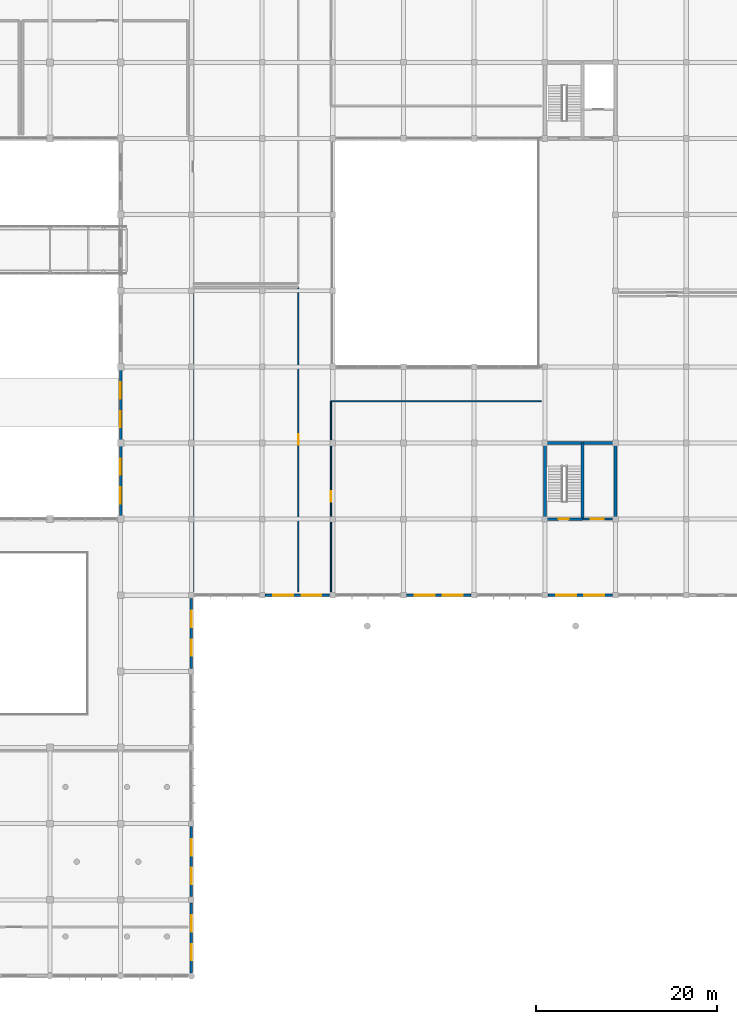
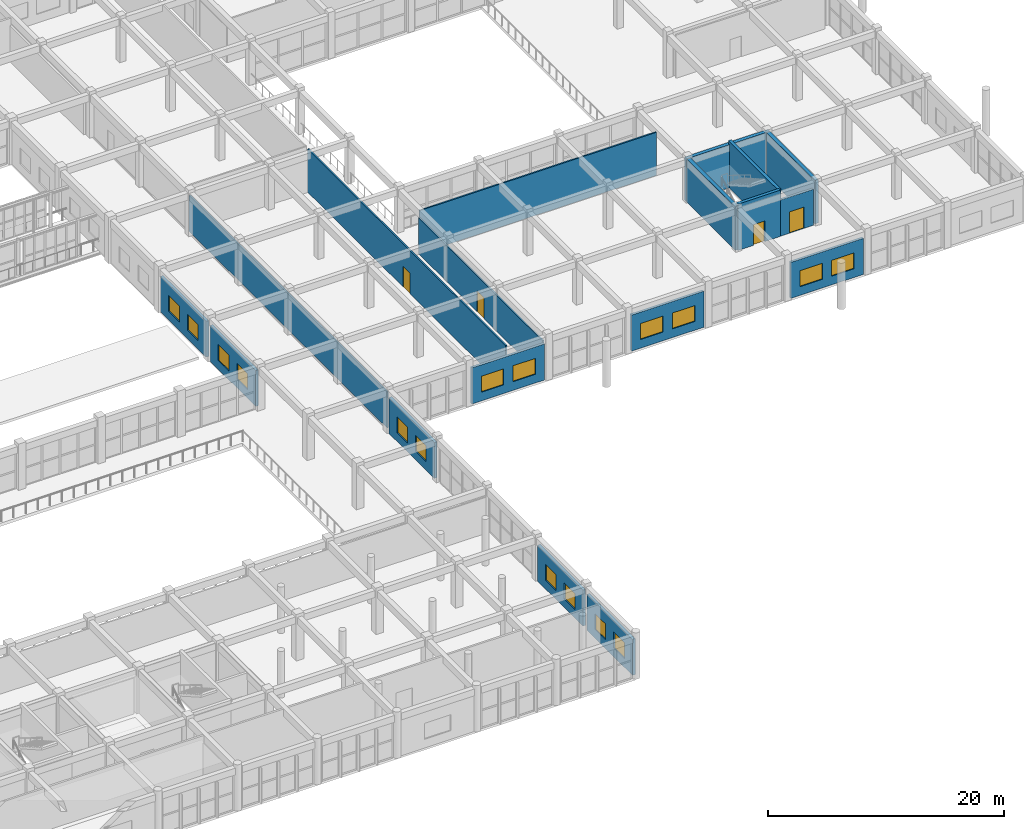
# One storey, part 156 of 167: 18 walls, 16 windows, 4 doors, 20 openings.
"""IFC4 building model written with IfcOpenShell, lengths in metres."""

from ifc_helpers import new_model, si_unit, direction, frame, frame_2d, origin, place, context, subcontext, project, spatial, rectangle, extrude, material, layer, layer_set, type_object, element, fill, save


model = new_model("IFC4")

# Units and contexts
model_context = context("Model", 3, precision=1e-05, world=origin(), true_north=direction((0.0, 1.0)))
body_context = subcontext(model_context, "Body", "Model", "MODEL_VIEW")
ifc_project = project(units=[si_unit("LENGTHUNIT", "METRE"), si_unit("AREAUNIT", "SQUARE_METRE"), si_unit("VOLUMEUNIT", "CUBIC_METRE"), si_unit("PLANEANGLEUNIT", "RADIAN"), si_unit("MASSUNIT", "GRAM", prefix="KILO")], contexts=[model_context])

# Site, building, storey
site_placement = place(None, origin())
site = spatial("IfcSite", under=ifc_project, at=site_placement, CompositionType="ELEMENT")
building_placement = place(site_placement, origin())
building = spatial("IfcBuilding", under=site, at=building_placement, Name="Zizhar Promenade General Hospital", CompositionType="ELEMENT")
storey_placement = place(building_placement, frame((0.0, 0.0, 9.60009765625)))
storey = spatial("IfcBuildingStorey", under=building, at=storey_placement, Name="L02", CompositionType="ELEMENT", Elevation=9.60009765625)

# Wall, openings, windows
ifc_material_1 = material(Name="Precast concrete C40/50", Category="concrete")
ifc_layer_1 = layer(ifc_material_1, 0.235107421875)
ifc_layer_set_1 = layer_set([ifc_layer_1], Name="Precast concrete C40/50")
wall_type_1 = type_object("IfcWallType", Name="EW-CLN-235", PredefinedType="STANDARD", material=ifc_layer_set_1)
wall_1_placement = place(storey_placement, frame((147.860107421875, 42.0, 0.0), z_axis=(0.0, 0.0, 1.0), x_axis=(-1.0, 0.0, 0.0)))
wall_1 = element("IfcWall", 1, at=wall_1_placement, inside=storey, type_object=wall_type_1, Name="Outpatient Forecourt South Wall L02-18", PredefinedType="STANDARD", context=body_context, shape_type="SweptSolid", body=[
    extrude(rectangle(XDim=7.1201171875, YDim=0.235107421875, at=frame_2d((3.56005859375, 0.0))), origin(), (0.0, 0.0, 1.0), 3.72998046875),
])
opening_1_placement = place(wall_1_placement, frame((0.90673828125, 0.0, 0.89990234375)))
opening_1 = element("IfcOpeningElement", 2, at=opening_1_placement, cuts=wall_1, Name="Opening W-07", PredefinedType="OPENING", context=body_context, shape_type="SweptSolid", body=[
    extrude(rectangle(XDim=2.199951171875, YDim=1.64990234375, at=frame_2d((1.10009765625, 0.824951171875))), frame((0.0, 0.12744140625, 0.0), z_axis=(0.0, -1.0, 0.0), x_axis=(1.0, 0.0, 0.0)), (0.0, 0.0, 1.0), 0.255126953125),
])
opening_2_placement = place(wall_1_placement, frame((4.01318359375, 0.0, 0.89990234375)))
opening_2 = element("IfcOpeningElement", 3, at=opening_2_placement, cuts=wall_1, Name="Opening W-07", PredefinedType="OPENING", context=body_context, shape_type="SweptSolid", body=[
    extrude(rectangle(XDim=2.199951171875, YDim=1.64990234375, at=frame_2d((1.10009765625, 0.824951171875))), frame((0.0, 0.12744140625, 0.0), z_axis=(0.0, -1.0, 0.0), x_axis=(1.0, 0.0, 0.0)), (0.0, 0.0, 1.0), 0.255126953125),
])
ifc_material_2 = material(Name="Anodised aluminium 6063-T6 and low-E glass", Category="aluminium")
window_type_1 = type_object("IfcWindowType", Name="WIN-CLN-220x165", PartitioningType="DOUBLE_PANEL_VERTICAL", PredefinedType="WINDOW", material=ifc_material_2)
window_1_placement = place(opening_1_placement, origin())
window_1 = element("IfcWindow", 4, at=window_1_placement, inside=storey, type_object=window_type_1, Name="Outpatient Forecourt South Wall L02-18 Window 1", OverallHeight=1.64990234375, OverallWidth=2.199951171875, PartitioningType="SINGLE_PANEL", PredefinedType="WINDOW", context=body_context, shape_type="SweptSolid", body=[
    extrude(rectangle(XDim=2.199951171875, YDim=1.64990234375, at=frame_2d((1.10009765625, 0.824951171875))), frame((0.0, 0.030029296875, 0.0), z_axis=(0.0, -1.0, 0.0), x_axis=(1.0, 0.0, 0.0)), (0.0, 0.0, 1.0), 0.06005859375),
])
fill(opening_1, window_1)
window_2_placement = place(opening_2_placement, origin())
window_2 = element("IfcWindow", 5, at=window_2_placement, inside=storey, type_object=window_type_1, Name="Outpatient Forecourt South Wall L02-18 Window 2", OverallHeight=1.64990234375, OverallWidth=2.199951171875, PartitioningType="SINGLE_PANEL", PredefinedType="WINDOW", context=body_context, shape_type="SweptSolid", body=[
    extrude(rectangle(XDim=2.199951171875, YDim=1.64990234375, at=frame_2d((1.10009765625, 0.824951171875))), frame((0.0, 0.030029296875, 0.0), z_axis=(0.0, -1.0, 0.0), x_axis=(1.0, 0.0, 0.0)), (0.0, 0.0, 1.0), 0.06005859375),
])
fill(opening_2, window_2)

wall_2_placement = place(storey_placement, frame((163.4599609375, 42.0, 0.0), z_axis=(0.0, 0.0, 1.0), x_axis=(-1.0, 0.0, 0.0)))
wall_2 = element("IfcWall", 6, at=wall_2_placement, inside=storey, type_object=wall_type_1, Name="Outpatient Forecourt South Wall L02-20", PredefinedType="STANDARD", context=body_context, shape_type="SweptSolid", body=[
    extrude(rectangle(XDim=7.119873046875, YDim=0.235107421875, at=frame_2d((3.56005859375, 0.0))), origin(), (0.0, 0.0, 1.0), 3.72998046875),
])
opening_3_placement = place(wall_2_placement, frame((0.90673828125, 0.0, 0.89990234375)))
opening_3 = element("IfcOpeningElement", 7, at=opening_3_placement, cuts=wall_2, Name="Opening W-07", PredefinedType="OPENING", context=body_context, shape_type="SweptSolid", body=[
    extrude(rectangle(XDim=2.199951171875, YDim=1.64990234375, at=frame_2d((1.10009765625, 0.824951171875))), frame((0.0, 0.12744140625, 0.0), z_axis=(0.0, -1.0, 0.0), x_axis=(1.0, 0.0, 0.0)), (0.0, 0.0, 1.0), 0.255126953125),
])
opening_4_placement = place(wall_2_placement, frame((4.01318359375, 0.0, 0.89990234375)))
opening_4 = element("IfcOpeningElement", 8, at=opening_4_placement, cuts=wall_2, Name="Opening W-07", PredefinedType="OPENING", context=body_context, shape_type="SweptSolid", body=[
    extrude(rectangle(XDim=2.199951171875, YDim=1.64990234375, at=frame_2d((1.10009765625, 0.824951171875))), frame((0.0, 0.12744140625, 0.0), z_axis=(0.0, -1.0, 0.0), x_axis=(1.0, 0.0, 0.0)), (0.0, 0.0, 1.0), 0.255126953125),
])
window_3_placement = place(opening_3_placement, origin())
window_3 = element("IfcWindow", 9, at=window_3_placement, inside=storey, type_object=window_type_1, Name="Outpatient Forecourt South Wall L02-20 Window 1", OverallHeight=1.64990234375, OverallWidth=2.199951171875, PartitioningType="SINGLE_PANEL", PredefinedType="WINDOW", context=body_context, shape_type="SweptSolid", body=[
    extrude(rectangle(XDim=2.199951171875, YDim=1.64990234375, at=frame_2d((1.10009765625, 0.824951171875))), frame((0.0, 0.030029296875, 0.0), z_axis=(0.0, -1.0, 0.0), x_axis=(1.0, 0.0, 0.0)), (0.0, 0.0, 1.0), 0.06005859375),
])
fill(opening_3, window_3)
window_4_placement = place(opening_4_placement, origin())
window_4 = element("IfcWindow", 10, at=window_4_placement, inside=storey, type_object=window_type_1, Name="Outpatient Forecourt South Wall L02-20 Window 2", OverallHeight=1.64990234375, OverallWidth=2.199951171875, PartitioningType="SINGLE_PANEL", PredefinedType="WINDOW", context=body_context, shape_type="SweptSolid", body=[
    extrude(rectangle(XDim=2.199951171875, YDim=1.64990234375, at=frame_2d((1.10009765625, 0.824951171875))), frame((0.0, 0.030029296875, 0.0), z_axis=(0.0, -1.0, 0.0), x_axis=(1.0, 0.0, 0.0)), (0.0, 0.0, 1.0), 0.06005859375),
])
fill(opening_4, window_4)

wall_3_placement = place(storey_placement, frame((179.06005859375, 42.0, 0.0), z_axis=(0.0, 0.0, 1.0), x_axis=(-1.0, 0.0, 0.0)))
wall_3 = element("IfcWall", 11, at=wall_3_placement, inside=storey, type_object=wall_type_1, Name="Outpatient Forecourt South Wall L02-22", PredefinedType="STANDARD", context=body_context, shape_type="SweptSolid", body=[
    extrude(rectangle(XDim=7.1201171875, YDim=0.235107421875, at=frame_2d((3.56005859375, 0.0))), origin(), (0.0, 0.0, 1.0), 3.72998046875),
])
opening_5_placement = place(wall_3_placement, frame((0.90673828125, 0.0, 0.89990234375)))
opening_5 = element("IfcOpeningElement", 12, at=opening_5_placement, cuts=wall_3, Name="Opening W-07", PredefinedType="OPENING", context=body_context, shape_type="SweptSolid", body=[
    extrude(rectangle(XDim=2.199951171875, YDim=1.64990234375, at=frame_2d((1.10009765625, 0.824951171875))), frame((0.0, 0.12744140625, 0.0), z_axis=(0.0, -1.0, 0.0), x_axis=(1.0, 0.0, 0.0)), (0.0, 0.0, 1.0), 0.255126953125),
])
opening_6_placement = place(wall_3_placement, frame((4.01318359375, 0.0, 0.89990234375)))
opening_6 = element("IfcOpeningElement", 13, at=opening_6_placement, cuts=wall_3, Name="Opening W-07", PredefinedType="OPENING", context=body_context, shape_type="SweptSolid", body=[
    extrude(rectangle(XDim=2.199951171875, YDim=1.64990234375, at=frame_2d((1.10009765625, 0.824951171875))), frame((0.0, 0.12744140625, 0.0), z_axis=(0.0, -1.0, 0.0), x_axis=(1.0, 0.0, 0.0)), (0.0, 0.0, 1.0), 0.255126953125),
])
window_5_placement = place(opening_5_placement, origin())
window_5 = element("IfcWindow", 14, at=window_5_placement, inside=storey, type_object=window_type_1, Name="Outpatient Forecourt South Wall L02-22 Window 1", OverallHeight=1.64990234375, OverallWidth=2.199951171875, PartitioningType="SINGLE_PANEL", PredefinedType="WINDOW", context=body_context, shape_type="SweptSolid", body=[
    extrude(rectangle(XDim=2.199951171875, YDim=1.64990234375, at=frame_2d((1.10009765625, 0.824951171875))), frame((0.0, 0.030029296875, 0.0), z_axis=(0.0, -1.0, 0.0), x_axis=(1.0, 0.0, 0.0)), (0.0, 0.0, 1.0), 0.06005859375),
])
fill(opening_5, window_5)
window_6_placement = place(opening_6_placement, origin())
window_6 = element("IfcWindow", 15, at=window_6_placement, inside=storey, type_object=window_type_1, Name="Outpatient Forecourt South Wall L02-22 Window 2", OverallHeight=1.64990234375, OverallWidth=2.199951171875, PartitioningType="SINGLE_PANEL", PredefinedType="WINDOW", context=body_context, shape_type="SweptSolid", body=[
    extrude(rectangle(XDim=2.199951171875, YDim=1.64990234375, at=frame_2d((1.10009765625, 0.824951171875))), frame((0.0, 0.030029296875, 0.0), z_axis=(0.0, -1.0, 0.0), x_axis=(1.0, 0.0, 0.0)), (0.0, 0.0, 1.0), 0.06005859375),
])
fill(opening_6, window_6)

ifc_material_3 = material(Name="Precast concrete C40/50", Category="concrete")
ifc_layer_2 = layer(ifc_material_3, 0.260009765625)
ifc_layer_set_2 = layer_set([ifc_layer_2], Name="Precast concrete C40/50")
wall_type_2 = type_object("IfcWallType", Name="EW-PC-260", PredefinedType="STANDARD", material=ifc_layer_set_2)
wall_4_placement = place(storey_placement, frame((124.800048828125, 58.4599609375, 0.0), z_axis=(0.0, 0.0, 1.0), x_axis=(0.0, -1.0, 0.0)))
wall_4 = element("IfcWall", 16, at=wall_4_placement, inside=storey, type_object=wall_type_2, Name="Garden Court East Wall L02-6", PredefinedType="STANDARD", context=body_context, shape_type="SweptSolid", body=[
    extrude(rectangle(XDim=7.719970703125, YDim=0.260009765625, at=frame_2d((3.85986328125, 0.0))), origin(), (0.0, 0.0, 1.0), 3.71484375),
])
opening_7_placement = place(wall_4_placement, frame((1.373291015625, 0.0, 0.89990234375)))
opening_7 = element("IfcOpeningElement", 17, at=opening_7_placement, cuts=wall_4, Name="Opening W-08", PredefinedType="OPENING", context=body_context, shape_type="SweptSolid", body=[
    extrude(rectangle(XDim=1.800048828125, YDim=1.64990234375, at=frame_2d((0.89990234375, 0.824951171875))), frame((0.0, 0.14013671875, 0.0), z_axis=(0.0, -1.0, 0.0), x_axis=(1.0, 0.0, 0.0)), (0.0, 0.0, 1.0), 0.280029296875),
])
opening_8_placement = place(wall_4_placement, frame((4.546630859375, 0.0, 0.89990234375)))
opening_8 = element("IfcOpeningElement", 18, at=opening_8_placement, cuts=wall_4, Name="Opening W-08", PredefinedType="OPENING", context=body_context, shape_type="SweptSolid", body=[
    extrude(rectangle(XDim=1.800048828125, YDim=1.64990234375, at=frame_2d((0.89990234375, 0.824951171875))), frame((0.0, 0.14013671875, 0.0), z_axis=(0.0, -1.0, 0.0), x_axis=(1.0, 0.0, 0.0)), (0.0, 0.0, 1.0), 0.280029296875),
])
ifc_material_4 = material(Name="Anodised aluminium 6063-T6 and low-E glass", Category="aluminium")
window_type_2 = type_object("IfcWindowType", Name="WIN-CLN-180x165", PartitioningType="DOUBLE_PANEL_VERTICAL", PredefinedType="WINDOW", material=ifc_material_4)
window_7_placement = place(opening_7_placement, origin())
window_7 = element("IfcWindow", 19, at=window_7_placement, inside=storey, type_object=window_type_2, Name="Garden Court East Wall L02-6 Window 1", OverallHeight=1.64990234375, OverallWidth=1.800048828125, PartitioningType="SINGLE_PANEL", PredefinedType="WINDOW", context=body_context, shape_type="SweptSolid", body=[
    extrude(rectangle(XDim=1.800048828125, YDim=1.64990234375, at=frame_2d((0.89990234375, 0.824951171875))), frame((0.0, 0.030029296875, 0.0), z_axis=(0.0, -1.0, 0.0), x_axis=(1.0, 0.0, 0.0)), (0.0, 0.0, 1.0), 0.06005859375),
])
fill(opening_7, window_7)
window_8_placement = place(opening_8_placement, origin())
window_8 = element("IfcWindow", 20, at=window_8_placement, inside=storey, type_object=window_type_2, Name="Garden Court East Wall L02-6 Window 2", OverallHeight=1.64990234375, OverallWidth=1.800048828125, PartitioningType="SINGLE_PANEL", PredefinedType="WINDOW", context=body_context, shape_type="SweptSolid", body=[
    extrude(rectangle(XDim=1.800048828125, YDim=1.64990234375, at=frame_2d((0.89990234375, 0.824951171875))), frame((0.0, 0.030029296875, 0.0), z_axis=(0.0, -1.0, 0.0), x_axis=(1.0, 0.0, 0.0)), (0.0, 0.0, 1.0), 0.06005859375),
])
fill(opening_8, window_8)

wall_5_placement = place(storey_placement, frame((124.800048828125, 66.860107421875, 0.0), z_axis=(0.0, 0.0, 1.0), x_axis=(0.0, -1.0, 0.0)))
wall_5 = element("IfcWall", 21, at=wall_5_placement, inside=storey, type_object=wall_type_2, Name="Garden Court East Wall L02-7", PredefinedType="STANDARD", context=body_context, shape_type="SweptSolid", body=[
    extrude(rectangle(XDim=7.72021484375, YDim=0.260009765625, at=frame_2d((3.860107421875, 0.0))), origin(), (0.0, 0.0, 1.0), 3.71484375),
])
opening_9_placement = place(wall_5_placement, frame((1.373291015625, 0.0, 0.89990234375)))
opening_9 = element("IfcOpeningElement", 22, at=opening_9_placement, cuts=wall_5, Name="Opening W-08", PredefinedType="OPENING", context=body_context, shape_type="SweptSolid", body=[
    extrude(rectangle(XDim=1.800048828125, YDim=1.64990234375, at=frame_2d((0.89990234375, 0.824951171875))), frame((0.0, 0.14013671875, 0.0), z_axis=(0.0, -1.0, 0.0), x_axis=(1.0, 0.0, 0.0)), (0.0, 0.0, 1.0), 0.280029296875),
])
opening_10_placement = place(wall_5_placement, frame((4.546630859375, 0.0, 0.89990234375)))
opening_10 = element("IfcOpeningElement", 23, at=opening_10_placement, cuts=wall_5, Name="Opening W-08", PredefinedType="OPENING", context=body_context, shape_type="SweptSolid", body=[
    extrude(rectangle(XDim=1.800048828125, YDim=1.64990234375, at=frame_2d((0.89990234375, 0.824951171875))), frame((0.0, 0.14013671875, 0.0), z_axis=(0.0, -1.0, 0.0), x_axis=(1.0, 0.0, 0.0)), (0.0, 0.0, 1.0), 0.280029296875),
])
window_9_placement = place(opening_9_placement, origin())
window_9 = element("IfcWindow", 24, at=window_9_placement, inside=storey, type_object=window_type_2, Name="Garden Court East Wall L02-7 Window 1", OverallHeight=1.64990234375, OverallWidth=1.800048828125, PartitioningType="SINGLE_PANEL", PredefinedType="WINDOW", context=body_context, shape_type="SweptSolid", body=[
    extrude(rectangle(XDim=1.800048828125, YDim=1.64990234375, at=frame_2d((0.89990234375, 0.824951171875))), frame((0.0, 0.030029296875, 0.0), z_axis=(0.0, -1.0, 0.0), x_axis=(1.0, 0.0, 0.0)), (0.0, 0.0, 1.0), 0.06005859375),
])
fill(opening_9, window_9)
window_10_placement = place(opening_10_placement, origin())
window_10 = element("IfcWindow", 25, at=window_10_placement, inside=storey, type_object=window_type_2, Name="Garden Court East Wall L02-7 Window 2", OverallHeight=1.64990234375, OverallWidth=1.800048828125, PartitioningType="SINGLE_PANEL", PredefinedType="WINDOW", context=body_context, shape_type="SweptSolid", body=[
    extrude(rectangle(XDim=1.800048828125, YDim=1.64990234375, at=frame_2d((0.89990234375, 0.824951171875))), frame((0.0, 0.030029296875, 0.0), z_axis=(0.0, -1.0, 0.0), x_axis=(1.0, 0.0, 0.0)), (0.0, 0.0, 1.0), 0.06005859375),
])
fill(opening_10, window_10)

ifc_material_5 = material(Name="Precast concrete C40/50", Category="concrete")
ifc_layer_3 = layer(ifc_material_5, 0.27490234375)
ifc_layer_set_3 = layer_set([ifc_layer_3], Name="Precast concrete C40/50")
wall_type_3 = type_object("IfcWallType", Name="EW-PC-275", PredefinedType="STANDARD", material=ifc_layer_set_3)
wall_6_placement = place(storey_placement, frame((132.60009765625, 8.06005859375, 0.0), z_axis=(0.0, 0.0, 1.0), x_axis=(0.0, -1.0, 0.0)))
wall_6 = element("IfcWall", 26, at=wall_6_placement, inside=storey, type_object=wall_type_3, Name="Forecourt West Wall L02-0", PredefinedType="STANDARD", context=body_context, shape_type="SweptSolid", body=[
    extrude(rectangle(XDim=7.719970703125, YDim=0.27490234375, at=frame_2d((3.85986328125, 0.0))), origin(), (0.0, 0.0, 1.0), 3.71484375),
])
opening_11_placement = place(wall_6_placement, frame((1.373291015625, 0.0, 0.89990234375)))
opening_11 = element("IfcOpeningElement", 27, at=opening_11_placement, cuts=wall_6, Name="Opening W-08", PredefinedType="OPENING", context=body_context, shape_type="SweptSolid", body=[
    extrude(rectangle(XDim=1.800048828125, YDim=1.64990234375, at=frame_2d((0.89990234375, 0.824951171875))), frame((0.0, 0.1474609375, 0.0), z_axis=(0.0, -1.0, 0.0), x_axis=(1.0, 0.0, 0.0)), (0.0, 0.0, 1.0), 0.294921875),
])
opening_12_placement = place(wall_6_placement, frame((4.546630859375, 0.0, 0.89990234375)))
opening_12 = element("IfcOpeningElement", 28, at=opening_12_placement, cuts=wall_6, Name="Opening W-08", PredefinedType="OPENING", context=body_context, shape_type="SweptSolid", body=[
    extrude(rectangle(XDim=1.800048828125, YDim=1.64990234375, at=frame_2d((0.89990234375, 0.824951171875))), frame((0.0, 0.1474609375, 0.0), z_axis=(0.0, -1.0, 0.0), x_axis=(1.0, 0.0, 0.0)), (0.0, 0.0, 1.0), 0.294921875),
])
window_11_placement = place(opening_11_placement, origin())
window_11 = element("IfcWindow", 29, at=window_11_placement, inside=storey, type_object=window_type_2, Name="Forecourt West Wall L02-0 Window 1", OverallHeight=1.64990234375, OverallWidth=1.800048828125, PartitioningType="SINGLE_PANEL", PredefinedType="WINDOW", context=body_context, shape_type="SweptSolid", body=[
    extrude(rectangle(XDim=1.800048828125, YDim=1.64990234375, at=frame_2d((0.89990234375, 0.824951171875))), frame((0.0, 0.030029296875, 0.0), z_axis=(0.0, -1.0, 0.0), x_axis=(1.0, 0.0, 0.0)), (0.0, 0.0, 1.0), 0.06005859375),
])
fill(opening_11, window_11)
window_12_placement = place(opening_12_placement, origin())
window_12 = element("IfcWindow", 30, at=window_12_placement, inside=storey, type_object=window_type_2, Name="Forecourt West Wall L02-0 Window 2", OverallHeight=1.64990234375, OverallWidth=1.800048828125, PartitioningType="SINGLE_PANEL", PredefinedType="WINDOW", context=body_context, shape_type="SweptSolid", body=[
    extrude(rectangle(XDim=1.800048828125, YDim=1.64990234375, at=frame_2d((0.89990234375, 0.824951171875))), frame((0.0, 0.030029296875, 0.0), z_axis=(0.0, -1.0, 0.0), x_axis=(1.0, 0.0, 0.0)), (0.0, 0.0, 1.0), 0.06005859375),
])
fill(opening_12, window_12)

wall_7_placement = place(storey_placement, frame((132.60009765625, 16.4599609375, 0.0), z_axis=(0.0, 0.0, 1.0), x_axis=(0.0, -1.0, 0.0)))
wall_7 = element("IfcWall", 31, at=wall_7_placement, inside=storey, type_object=wall_type_3, Name="Forecourt West Wall L02-1", PredefinedType="STANDARD", context=body_context, shape_type="SweptSolid", body=[
    extrude(rectangle(XDim=7.719970703125, YDim=0.27490234375, at=frame_2d((3.85986328125, 0.0))), origin(), (0.0, 0.0, 1.0), 3.71484375),
])
opening_13_placement = place(wall_7_placement, frame((1.373291015625, 0.0, 0.89990234375)))
opening_13 = element("IfcOpeningElement", 32, at=opening_13_placement, cuts=wall_7, Name="Opening W-08", PredefinedType="OPENING", context=body_context, shape_type="SweptSolid", body=[
    extrude(rectangle(XDim=1.800048828125, YDim=1.64990234375, at=frame_2d((0.89990234375, 0.824951171875))), frame((0.0, 0.1474609375, 0.0), z_axis=(0.0, -1.0, 0.0), x_axis=(1.0, 0.0, 0.0)), (0.0, 0.0, 1.0), 0.294921875),
])
opening_14_placement = place(wall_7_placement, frame((4.546630859375, 0.0, 0.89990234375)))
opening_14 = element("IfcOpeningElement", 33, at=opening_14_placement, cuts=wall_7, Name="Opening W-08", PredefinedType="OPENING", context=body_context, shape_type="SweptSolid", body=[
    extrude(rectangle(XDim=1.800048828125, YDim=1.64990234375, at=frame_2d((0.89990234375, 0.824951171875))), frame((0.0, 0.1474609375, 0.0), z_axis=(0.0, -1.0, 0.0), x_axis=(1.0, 0.0, 0.0)), (0.0, 0.0, 1.0), 0.294921875),
])
window_13_placement = place(opening_13_placement, origin())
window_13 = element("IfcWindow", 34, at=window_13_placement, inside=storey, type_object=window_type_2, Name="Forecourt West Wall L02-1 Window 1", OverallHeight=1.64990234375, OverallWidth=1.800048828125, PartitioningType="SINGLE_PANEL", PredefinedType="WINDOW", context=body_context, shape_type="SweptSolid", body=[
    extrude(rectangle(XDim=1.800048828125, YDim=1.64990234375, at=frame_2d((0.89990234375, 0.824951171875))), frame((0.0, 0.030029296875, 0.0), z_axis=(0.0, -1.0, 0.0), x_axis=(1.0, 0.0, 0.0)), (0.0, 0.0, 1.0), 0.06005859375),
])
fill(opening_13, window_13)
window_14_placement = place(opening_14_placement, origin())
window_14 = element("IfcWindow", 35, at=window_14_placement, inside=storey, type_object=window_type_2, Name="Forecourt West Wall L02-1 Window 2", OverallHeight=1.64990234375, OverallWidth=1.800048828125, PartitioningType="SINGLE_PANEL", PredefinedType="WINDOW", context=body_context, shape_type="SweptSolid", body=[
    extrude(rectangle(XDim=1.800048828125, YDim=1.64990234375, at=frame_2d((0.89990234375, 0.824951171875))), frame((0.0, 0.030029296875, 0.0), z_axis=(0.0, -1.0, 0.0), x_axis=(1.0, 0.0, 0.0)), (0.0, 0.0, 1.0), 0.06005859375),
])
fill(opening_14, window_14)

wall_8_placement = place(storey_placement, frame((132.60009765625, 41.659912109375, 0.0), z_axis=(0.0, 0.0, 1.0), x_axis=(0.0, -1.0, 0.0)))
wall_8 = element("IfcWall", 36, at=wall_8_placement, inside=storey, type_object=wall_type_3, Name="Forecourt West Wall L02-4", PredefinedType="STANDARD", context=body_context, shape_type="SweptSolid", body=[
    extrude(rectangle(XDim=7.719970703125, YDim=0.27490234375, at=frame_2d((3.85986328125, 0.0))), origin(), (0.0, 0.0, 1.0), 3.71484375),
])
opening_15_placement = place(wall_8_placement, frame((1.373291015625, 0.0, 0.89990234375)))
opening_15 = element("IfcOpeningElement", 37, at=opening_15_placement, cuts=wall_8, Name="Opening W-08", PredefinedType="OPENING", context=body_context, shape_type="SweptSolid", body=[
    extrude(rectangle(XDim=1.800048828125, YDim=1.64990234375, at=frame_2d((0.89990234375, 0.824951171875))), frame((0.0, 0.1474609375, 0.0), z_axis=(0.0, -1.0, 0.0), x_axis=(1.0, 0.0, 0.0)), (0.0, 0.0, 1.0), 0.294921875),
])
opening_16_placement = place(wall_8_placement, frame((4.546630859375, 0.0, 0.89990234375)))
opening_16 = element("IfcOpeningElement", 38, at=opening_16_placement, cuts=wall_8, Name="Opening W-08", PredefinedType="OPENING", context=body_context, shape_type="SweptSolid", body=[
    extrude(rectangle(XDim=1.800048828125, YDim=1.64990234375, at=frame_2d((0.89990234375, 0.824951171875))), frame((0.0, 0.1474609375, 0.0), z_axis=(0.0, -1.0, 0.0), x_axis=(1.0, 0.0, 0.0)), (0.0, 0.0, 1.0), 0.294921875),
])
window_15_placement = place(opening_15_placement, origin())
window_15 = element("IfcWindow", 39, at=window_15_placement, inside=storey, type_object=window_type_2, Name="Forecourt West Wall L02-4 Window 1", OverallHeight=1.64990234375, OverallWidth=1.800048828125, PartitioningType="SINGLE_PANEL", PredefinedType="WINDOW", context=body_context, shape_type="SweptSolid", body=[
    extrude(rectangle(XDim=1.800048828125, YDim=1.64990234375, at=frame_2d((0.89990234375, 0.824951171875))), frame((0.0, 0.030029296875, 0.0), z_axis=(0.0, -1.0, 0.0), x_axis=(1.0, 0.0, 0.0)), (0.0, 0.0, 1.0), 0.06005859375),
])
fill(opening_15, window_15)
window_16_placement = place(opening_16_placement, origin())
window_16 = element("IfcWindow", 40, at=window_16_placement, inside=storey, type_object=window_type_2, Name="Forecourt West Wall L02-4 Window 2", OverallHeight=1.64990234375, OverallWidth=1.800048828125, PartitioningType="SINGLE_PANEL", PredefinedType="WINDOW", context=body_context, shape_type="SweptSolid", body=[
    extrude(rectangle(XDim=1.800048828125, YDim=1.64990234375, at=frame_2d((0.89990234375, 0.824951171875))), frame((0.0, 0.030029296875, 0.0), z_axis=(0.0, -1.0, 0.0), x_axis=(1.0, 0.0, 0.0)), (0.0, 0.0, 1.0), 0.06005859375),
])
fill(opening_16, window_16)

# Wall
ifc_material_6 = material(Name="Clinical consultation partition")
ifc_layer_4 = layer(ifc_material_6, 0.14501953125)
ifc_layer_set_4 = layer_set([ifc_layer_4], Name="Clinical consultation partition")
wall_type_4 = type_object("IfcWallType", Name="IW-CLN-145", PredefinedType="PARTITIONING", material=ifc_layer_set_4)
wall_9_placement = place(storey_placement, frame((132.800048828125, 42.39990234375, 0.0), z_axis=(0.0, 0.0, 1.0), x_axis=(0.0, 1.0, 0.0)))
element("IfcWall", 41, at=wall_9_placement, inside=storey, type_object=wall_type_4, Name="Outpatient Ophthalmology Clinic W Partition", PredefinedType="PARTITIONING", context=body_context, shape_type="SweptSolid", body=[
    extrude(rectangle(XDim=33.60009765625, YDim=0.14501953125, at=frame_2d((16.800048828125, 0.0))), origin(), (0.0, 0.0, 1.0), 3.71484375),
])

# Wall, opening, door
wall_10_placement = place(storey_placement, frame((144.39990234375, 42.39990234375, 0.0), z_axis=(0.0, 0.0, 1.0), x_axis=(0.0, 1.0, 0.0)))
wall_10 = element("IfcWall", 42, at=wall_10_placement, inside=storey, type_object=wall_type_4, Name="Outpatient Ophthalmology Clinic E Partition", PredefinedType="PARTITIONING", context=body_context, shape_type="SweptSolid", body=[
    extrude(rectangle(XDim=33.60009765625, YDim=0.14501953125, at=frame_2d((16.800048828125, 0.0))), origin(), (0.0, 0.0, 1.0), 4.4599609375),
])
opening_17_placement = place(wall_10_placement, frame((16.22509765625, 0.0, 0.0)))
opening_17 = element("IfcOpeningElement", 43, at=opening_17_placement, cuts=wall_10, Name="Opening D-15", PredefinedType="OPENING", context=body_context, shape_type="SweptSolid", body=[
    extrude(rectangle(XDim=1.14990234375, YDim=2.14990234375, at=frame_2d((0.574951171875, 1.074951171875))), frame((0.0, 0.08251953125, 0.0), z_axis=(0.0, -1.0, 0.0), x_axis=(1.0, 0.0, 0.0)), (0.0, 0.0, 1.0), 0.1650390625),
])
ifc_material_7 = material(Name="Fire-rated timber treatment leaf", Category="wood")
door_type_1 = type_object("IfcDoorType", Name="DR-CLN-TREAT-115x215", OperationType="NOTDEFINED", PredefinedType="DOOR", material=ifc_material_7)
door_1_placement = place(opening_17_placement, origin())
door_1 = element("IfcDoor", 44, at=door_1_placement, inside=storey, type_object=door_type_1, Name="Outpatient Ophthalmology Clinic Door", OperationType="SINGLE_SWING_LEFT", OverallHeight=2.14990234375, OverallWidth=1.14990234375, PredefinedType="DOOR", context=body_context, shape_type="SweptSolid", body=[
    extrude(rectangle(XDim=1.14990234375, YDim=2.14990234375, at=frame_2d((0.574951171875, 1.074951171875))), frame((0.0, 0.02490234375, 0.0), z_axis=(0.0, -1.0, 0.0), x_axis=(1.0, 0.0, 0.0)), (0.0, 0.0, 1.0), 0.050048828125),
])
fill(opening_17, door_1)

# Wall
wall_11_placement = place(storey_placement, frame((148.0, 63.39990234375, 0.0), z_axis=(0.0, 0.0, 1.0), x_axis=(1.0, 0.0, 0.0)))
element("IfcWall", 45, at=wall_11_placement, inside=storey, type_object=wall_type_4, Name="Outpatient Dermatology Clinic N Partition", PredefinedType="PARTITIONING", context=body_context, shape_type="SweptSolid", body=[
    extrude(rectangle(XDim=23.199951171875, YDim=0.14501953125, at=frame_2d((11.60009765625, 0.0))), origin(), (0.0, 0.0, 1.0), 4.4599609375),
])

# Wall, opening, door
wall_12_placement = place(storey_placement, frame((148.0, 42.39990234375, 0.0), z_axis=(0.0, 0.0, 1.0), x_axis=(0.0, 1.0, 0.0)))
wall_12 = element("IfcWall", 46, at=wall_12_placement, inside=storey, type_object=wall_type_4, Name="Outpatient Dermatology Clinic W Partition", PredefinedType="PARTITIONING", context=body_context, shape_type="SweptSolid", body=[
    extrude(rectangle(XDim=21.0, YDim=0.14501953125, at=frame_2d((10.5, 0.0))), origin(), (0.0, 0.0, 1.0), 3.71484375),
])
opening_18_placement = place(wall_12_placement, frame((9.925048828125, 0.0, 0.0)))
opening_18 = element("IfcOpeningElement", 47, at=opening_18_placement, cuts=wall_12, Name="Opening D-15", PredefinedType="OPENING", context=body_context, shape_type="SweptSolid", body=[
    extrude(rectangle(XDim=1.14990234375, YDim=2.14990234375, at=frame_2d((0.574951171875, 1.074951171875))), frame((0.0, 0.08251953125, 0.0), z_axis=(0.0, -1.0, 0.0), x_axis=(1.0, 0.0, 0.0)), (0.0, 0.0, 1.0), 0.1650390625),
])
door_2_placement = place(opening_18_placement, origin())
door_2 = element("IfcDoor", 48, at=door_2_placement, inside=storey, type_object=door_type_1, Name="Outpatient Dermatology Clinic Door", OperationType="SINGLE_SWING_LEFT", OverallHeight=2.14990234375, OverallWidth=1.14990234375, PredefinedType="DOOR", context=body_context, shape_type="SweptSolid", body=[
    extrude(rectangle(XDim=1.14990234375, YDim=2.14990234375, at=frame_2d((0.574951171875, 1.074951171875))), frame((0.0, 0.02490234375, 0.0), z_axis=(0.0, -1.0, 0.0), x_axis=(1.0, 0.0, 0.0)), (0.0, 0.0, 1.0), 0.050048828125),
])
fill(opening_18, door_2)

ifc_material_8 = material(Name="Concrete C35/45", Category="concrete")
ifc_layer_5 = layer(ifc_material_8, 0.215087890625)
ifc_layer_set_5 = layer_set([ifc_layer_5], Name="Concrete C35/45")
wall_type_5 = type_object("IfcWallType", Name="IW-LOBBY-215", PredefinedType="STANDARD", material=ifc_layer_set_5)
wall_13_placement = place(storey_placement, frame((175.75, 50.39990234375, 0.0), z_axis=(0.0, 0.0, 1.0), x_axis=(1.0, 0.0, 0.0)))
wall_13 = element("IfcWall", 49, at=wall_13_placement, inside=storey, type_object=wall_type_5, Name="Core C9 Lift Lobby South Fire Wall (L02)", PredefinedType="STANDARD", context=body_context, shape_type="SweptSolid", body=[
    extrude(rectangle(XDim=3.2900390625, YDim=0.215087890625, at=frame_2d((1.64501953125, 0.0))), origin(), (0.0, 0.0, 1.0), 3.72998046875),
])
opening_19_placement = place(wall_13_placement, frame((0.925048828125, 0.0, 0.0)))
opening_19 = element("IfcOpeningElement", 50, at=opening_19_placement, cuts=wall_13, Name="Opening D-23", PredefinedType="OPENING", context=body_context, shape_type="SweptSolid", body=[
    extrude(rectangle(XDim=1.43994140625, YDim=2.199951171875, at=frame_2d((0.719970703125, 1.10009765625))), frame((0.0, 0.11767578125, 0.0), z_axis=(0.0, -1.0, 0.0), x_axis=(1.0, 0.0, 0.0)), (0.0, 0.0, 1.0), 0.235107421875),
])
ifc_material_9 = material(Name="Fire-rated timber lift lobby pair", Category="wood")
door_type_2 = type_object("IfcDoorType", Name="DR-LOBBY-PR-144x220", OperationType="DOUBLE_DOOR_SINGLE_SWING", PredefinedType="DOOR", material=ifc_material_9)
door_3_placement = place(opening_19_placement, origin())
door_3 = element("IfcDoor", 51, at=door_3_placement, inside=storey, type_object=door_type_2, Name="Core C9 Protected Lift Lobby Door (L02)", OperationType="DOUBLE_DOOR_SINGLE_SWING", OverallHeight=2.199951171875, OverallWidth=1.43994140625, PredefinedType="DOOR", context=body_context, shape_type="SweptSolid", body=[
    extrude(rectangle(XDim=1.43994140625, YDim=2.199951171875, at=frame_2d((0.719970703125, 1.10009765625))), frame((0.0, 0.02490234375, 0.0), z_axis=(0.0, -1.0, 0.0), x_axis=(1.0, 0.0, 0.0)), (0.0, 0.0, 1.0), 0.050048828125),
])
fill(opening_19, door_3)

ifc_material_10 = material(Name="Concrete C40/50", Category="concrete")
ifc_layer_6 = layer(ifc_material_10, 0.300048828125)
ifc_layer_set_6 = layer_set([ifc_layer_6], Name="Concrete C40/50")
wall_type_6 = type_object("IfcWallType", Name="WL-CORE-300", PredefinedType="SHEAR", material=ifc_layer_set_6)
wall_14_placement = place(storey_placement, frame((171.60009765625, 50.39990234375, 0.0), z_axis=(0.0, 0.0, 1.0), x_axis=(1.0, 0.0, 0.0)))
wall_14 = element("IfcWall", 52, at=wall_14_placement, inside=storey, type_object=wall_type_6, Name="Core C9 Stair South Fire Wall (L02)", PredefinedType="SHEAR", context=body_context, shape_type="SweptSolid", body=[
    extrude(rectangle(XDim=4.14990234375, YDim=0.300048828125, at=frame_2d((2.074951171875, 0.0))), origin(), (0.0, 0.0, 1.0), 4.7998046875),
])
opening_20_placement = place(wall_14_placement, frame((1.514892578125, 0.0, 0.0)))
opening_20 = element("IfcOpeningElement", 53, at=opening_20_placement, cuts=wall_14, Name="Opening D-21", PredefinedType="OPENING", context=body_context, shape_type="SweptSolid", body=[
    extrude(rectangle(XDim=1.1201171875, YDim=2.14990234375, at=frame_2d((0.56005859375, 1.074951171875))), frame((0.0, 0.16015625, 0.0), z_axis=(0.0, -1.0, 0.0), x_axis=(1.0, 0.0, 0.0)), (0.0, 0.0, 1.0), 0.320068359375),
])
ifc_material_11 = material(Name="Steel S355 protected stair door", Category="steel")
door_type_3 = type_object("IfcDoorType", Name="DR-STAIR-112x215", OperationType="NOTDEFINED", PredefinedType="DOOR", material=ifc_material_11)
door_4_placement = place(opening_20_placement, origin())
door_4 = element("IfcDoor", 54, at=door_4_placement, inside=storey, type_object=door_type_3, Name="Exit Stair ST-09 Door (L02)", OperationType="SINGLE_SWING_LEFT", OverallHeight=2.14990234375, OverallWidth=1.1201171875, PredefinedType="DOOR", context=body_context, shape_type="SweptSolid", body=[
    extrude(rectangle(XDim=1.1201171875, YDim=2.14990234375, at=frame_2d((0.56005859375, 1.074951171875))), frame((0.0, 0.02490234375, 0.0), z_axis=(0.0, -1.0, 0.0), x_axis=(1.0, 0.0, 0.0)), (0.0, 0.0, 1.0), 0.050048828125),
])
fill(opening_20, door_4)

# Walls
wall_15_placement = place(storey_placement, frame((175.75, 50.39990234375, 0.0), z_axis=(0.0, 0.0, 1.0), x_axis=(0.0, 1.0, 0.0)))
element("IfcWall", 55, at=wall_15_placement, inside=storey, type_object=wall_type_6, Name="Core C9 Stair-Shaft Separation Wall (L02)", PredefinedType="SHEAR", context=body_context, shape_type="SweptSolid", body=[
    extrude(rectangle(XDim=8.400146484375, YDim=0.300048828125, at=frame_2d((4.2001953125, 0.0))), origin(), (0.0, 0.0, 1.0), 4.7998046875),
])
ifc_material_12 = material(Name="Concrete C40/50", Category="concrete")
ifc_layer_7 = layer(ifc_material_12, 0.35009765625)
ifc_layer_set_7 = layer_set([ifc_layer_7], Name="Concrete C40/50")
wall_type_7 = type_object("IfcWallType", Name="WL-CORE-350", PredefinedType="SHEAR", material=ifc_layer_set_7)
wall_16_placement = place(storey_placement, frame((171.425048828125, 58.800048828125, 0.0), z_axis=(0.0, 0.0, 1.0), x_axis=(1.0, 0.0, 0.0)))
element("IfcWall", 56, at=wall_16_placement, inside=storey, type_object=wall_type_7, Name="Core C9 North Shear Wall L02", PredefinedType="SHEAR", context=body_context, shape_type="SweptSolid", body=[
    extrude(rectangle(XDim=8.14990234375, YDim=0.35009765625, at=frame_2d((4.074951171875, 0.0))), origin(), (0.0, 0.0, 1.0), 4.47998046875),
])
for number, where, z_axis, x_axis, name in (
    (57, (171.60009765625, 50.39990234375, 0.0), (0.0, 0.0, 1.0), (0.0, 1.0, 0.0), "Core C9 West Shear Wall L02"),
    (58, (179.39990234375, 50.39990234375, 0.0), (0.0, 0.0, 1.0), (0.0, 1.0, 0.0), "Core C9 East Shear Wall L02"),
):
    element("IfcWall", number, at=place(storey_placement, frame(where, z_axis=z_axis, x_axis=x_axis)), inside=storey, type_object=wall_type_7, Name=name, PredefinedType="SHEAR", context=body_context, shape_type="SweptSolid", body=[
        extrude(rectangle(XDim=8.400146484375, YDim=0.35009765625, at=frame_2d((4.2001953125, 0.0))), origin(), (0.0, 0.0, 1.0), 4.47998046875),
    ])

save(model, "model.ifc")
